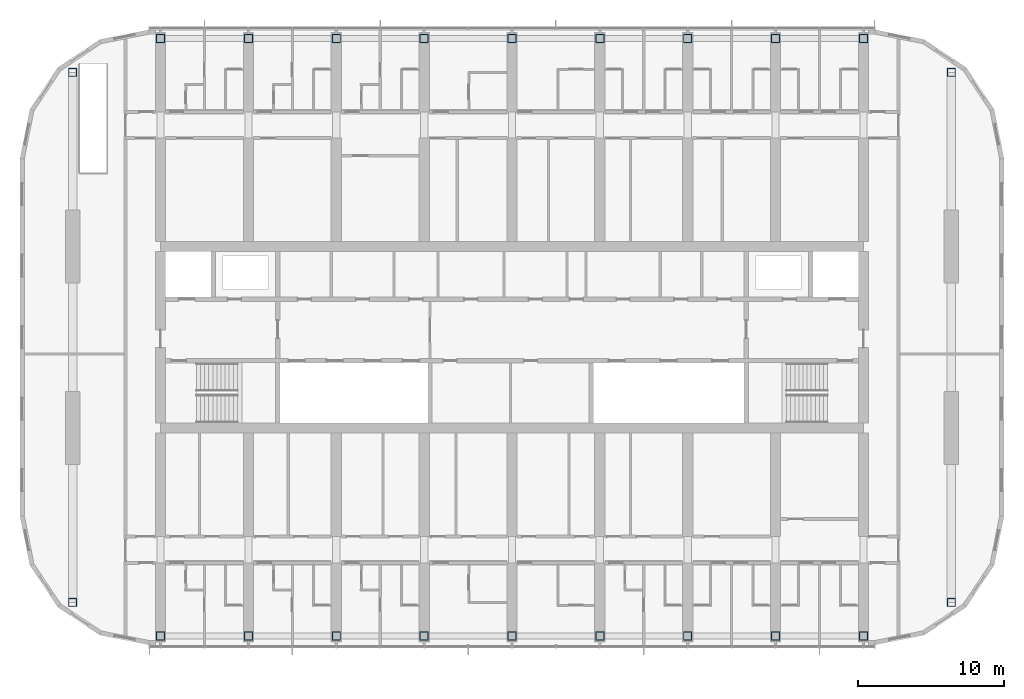
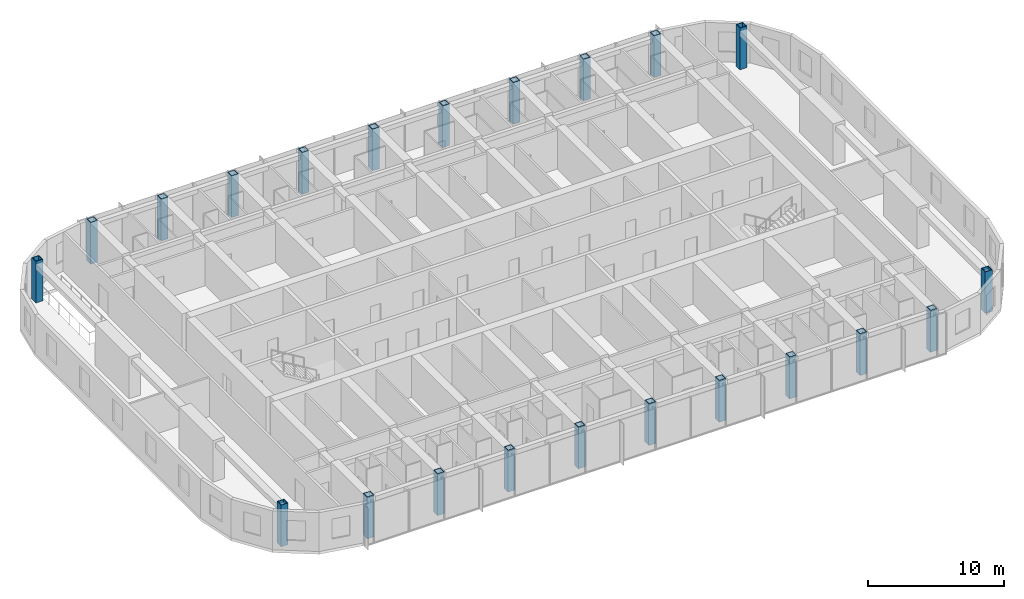
# One storey, part 1 of 24: 22 columns.
"""IFC4 building model written with IfcOpenShell, lengths in metres."""

from ifc_helpers import new_model, si_unit, direction, frame, origin, origin_2d, place, context, subcontext, project, spatial, hollow_rectangle, extrude, material, material_profile, profile_set, type_object, element, save


model = new_model("IFC4")

# Units and contexts
model_context = context("Model", 3, precision=1e-05, world=origin(), true_north=direction((0.0, 1.0)))
body_context = subcontext(model_context, "Body", "Model", "MODEL_VIEW")
ifc_project = project(units=[si_unit("LENGTHUNIT", "METRE"), si_unit("AREAUNIT", "SQUARE_METRE"), si_unit("VOLUMEUNIT", "CUBIC_METRE"), si_unit("PLANEANGLEUNIT", "RADIAN"), si_unit("MASSUNIT", "GRAM", prefix="KILO")], contexts=[model_context])

# Site, building, storey
site_placement = place(None, origin())
site = spatial("IfcSite", under=ifc_project, at=site_placement, CompositionType="ELEMENT")
building_placement = place(site_placement, origin())
building = spatial("IfcBuilding", under=site, at=building_placement, Name="Orbita Commons", CompositionType="ELEMENT")
storey_placement = place(building_placement, frame((0.0, 0.0, 235.300048828125)))
storey = spatial("IfcBuildingStorey", under=building, at=storey_placement, Name="L58", CompositionType="ELEMENT", Elevation=235.300048828125)

# Columns
ifc_material = material(Name="Steel ASTM A572 Gr 50 welded plate", Category="steel")
ifc_material_profile = material_profile(ifc_material, hollow_rectangle(XDim=0.60009765625, YDim=0.60009765625, WallThickness=0.06005859375, at=origin_2d()), Name="BOX 600x600x60")
ifc_profile_set = profile_set([ifc_material_profile], Name="Steel ASTM A572 Gr 50 welded plate")
column_type = type_object("IfcColumnType", Name="Steel column BOX 600x600x60", PredefinedType="COLUMN", material=ifc_profile_set)
for number, where, z_axis, x_axis, name in (
    (1, (18.0, 11.60009765625, 0.0), (0.0, 0.0, 1.0), (1.0, 0.0, 0.0), "Column 4/B L58"),
    (2, (18.0, 52.39990234375, 0.0), (0.0, 0.0, 1.0), (1.0, 0.0, 0.0), "Column 4/E L58"),
    (3, (24.0, 11.60009765625, 0.0), (0.0, 0.0, 1.0), (1.0, 0.0, 0.0), "Column 5/B L58"),
    (4, (24.0, 52.39990234375, 0.0), (0.0, 0.0, 1.0), (1.0, 0.0, 0.0), "Column 5/E L58"),
    (5, (30.0, 11.60009765625, 0.0), (0.0, 0.0, 1.0), (1.0, 0.0, 0.0), "Column 6/B L58"),
    (6, (30.0, 52.39990234375, 0.0), (0.0, 0.0, 1.0), (1.0, 0.0, 0.0), "Column 6/E L58"),
    (7, (36.0, 11.60009765625, 0.0), (0.0, 0.0, 1.0), (1.0, 0.0, 0.0), "Column 7/B L58"),
    (8, (36.0, 52.39990234375, 0.0), (0.0, 0.0, 1.0), (1.0, 0.0, 0.0), "Column 7/E L58"),
    (9, (42.0, 11.60009765625, 0.0), (0.0, 0.0, 1.0), (1.0, 0.0, 0.0), "Column 8/B L58"),
    (10, (42.0, 52.39990234375, 0.0), (0.0, 0.0, 1.0), (1.0, 0.0, 0.0), "Column 8/E L58"),
    (11, (48.0, 11.60009765625, 0.0), (0.0, 0.0, 1.0), (1.0, 0.0, 0.0), "Column 9/B L58"),
    (12, (48.0, 52.39990234375, 0.0), (0.0, 0.0, 1.0), (1.0, 0.0, 0.0), "Column 9/E L58"),
    (13, (54.0, 11.60009765625, 0.0), (0.0, 0.0, 1.0), (1.0, 0.0, 0.0), "Column 10/B L58"),
    (14, (54.0, 52.39990234375, 0.0), (0.0, 0.0, 1.0), (1.0, 0.0, 0.0), "Column 10/E L58"),
    (15, (60.0, 11.60009765625, 0.0), (0.0, 0.0, 1.0), (1.0, 0.0, 0.0), "Column 11/B L58"),
    (16, (60.0, 52.39990234375, 0.0), (0.0, 0.0, 1.0), (1.0, 0.0, 0.0), "Column 11/E L58"),
    (17, (66.0, 11.60009765625, 0.0), (0.0, 0.0, 1.0), (1.0, 0.0, 0.0), "Column 12/B L58"),
    (18, (66.0, 52.39990234375, 0.0), (0.0, 0.0, 1.0), (1.0, 0.0, 0.0), "Column 12/E L58"),
    (19, (12.0, 13.89990234375, 0.0), (0.0, 0.0, 1.0), (1.0, 0.0, 0.0), "Column 3/13.9 L58"),
    (20, (12.0, 50.10009765625, 0.0), (0.0, 0.0, 1.0), (1.0, 0.0, 0.0), "Column 3/50.1 L58"),
    (21, (72.0, 13.89990234375, 0.0), (0.0, 0.0, 1.0), (1.0, 0.0, 0.0), "Column 13/13.9 L58"),
    (22, (72.0, 50.10009765625, 0.0), (0.0, 0.0, 1.0), (1.0, 0.0, 0.0), "Column 13/50.1 L58"),
):
    element("IfcColumn", number, at=place(storey_placement, frame(where, z_axis=z_axis, x_axis=x_axis)), inside=storey, type_object=column_type, Name=name, PredefinedType="COLUMN", context=body_context, shape_type="SweptSolid", body=[
        extrude(hollow_rectangle(XDim=0.60009765625, YDim=0.60009765625, WallThickness=0.06005859375, at=origin_2d()), origin(), (0.0, 0.0, 1.0), 3.75),
    ])

save(model, "model.ifc")
